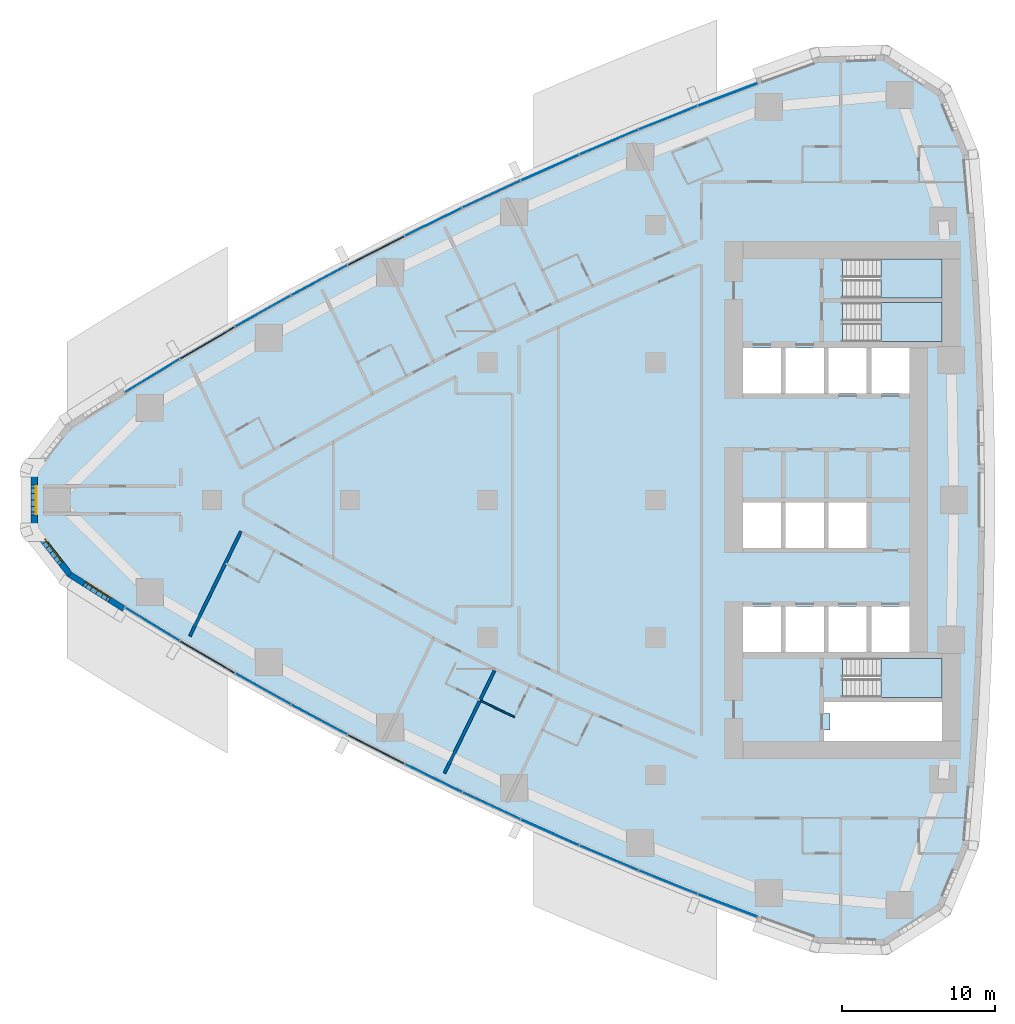
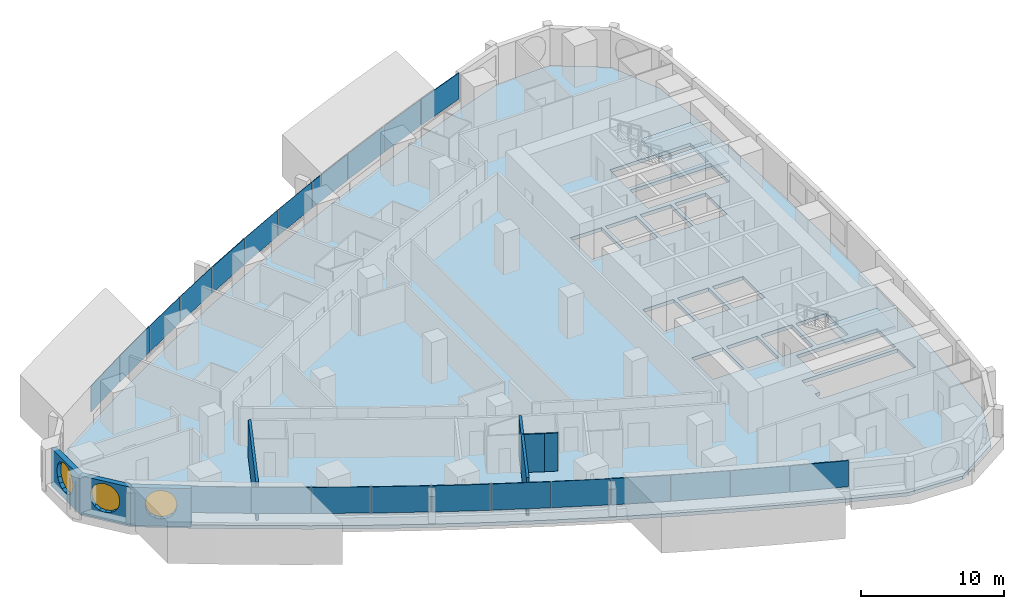
# One storey, part 8 of 19: 22 plates, 7 walls, 4 slabs, 3 windows, 4 openings, 13 elements without a shape of their own.
"""IFC4 building model written with IfcOpenShell, lengths in metres."""

from ifc_helpers import new_model, si_unit, direction, frame, frame_2d, origin, origin_2d, place, context, subcontext, project, spatial, polyline, rectangle, outline, extrude, material, layer, layer_set, type_object, element, fill, aggregate, save


model = new_model("IFC4")

# Units and contexts
model_context = context("Model", 3, precision=1e-05, world=origin(), true_north=direction((0.0, 1.0)))
body_context = subcontext(model_context, "Body", "Model", "MODEL_VIEW")
ifc_project = project(units=[si_unit("LENGTHUNIT", "METRE"), si_unit("AREAUNIT", "SQUARE_METRE"), si_unit("VOLUMEUNIT", "CUBIC_METRE"), si_unit("PLANEANGLEUNIT", "RADIAN"), si_unit("MASSUNIT", "GRAM", prefix="KILO")], contexts=[model_context])

# Site, building, storey
site_placement = place(None, origin())
site = spatial("IfcSite", under=ifc_project, at=site_placement, CompositionType="ELEMENT")
building_placement = place(site_placement, origin())
building = spatial("IfcBuilding", under=site, at=building_placement, Name="Ostrand Prow Hotel Tower", CompositionType="ELEMENT")
storey_placement = place(building_placement, frame((0.0, 0.0, 43.14990234375)))
storey = spatial("IfcBuildingStorey", under=building, at=storey_placement, Name="L08", CompositionType="ELEMENT", Elevation=43.14990234375)

# Curtain wall, plate
ifc_material_1 = material(Name="Insulated glass in bronze anodised frame", Category="glass")
ifc_layer_1 = layer(ifc_material_1, 0.199951171875)
ifc_layer_set_1 = layer_set([ifc_layer_1], Name="Insulated glass in bronze anodised frame")
curtain_wall_type = type_object("IfcCurtainWallType", Name="Strip curtain wall, fritted glass over bronze spandrel", PredefinedType="NOTDEFINED", material=ifc_layer_set_1)
curtain_wall_1_placement = place(storey_placement, origin())
curtain_wall_1 = element("IfcCurtainWall", 1, at=curtain_wall_1_placement, inside=storey, type_object=curtain_wall_type, Name="CW1 run CWS1", PredefinedType="NOTDEFINED")
ifc_material_2 = material(Name="Ceramic-fritted glass", Category="glass")
ifc_layer_2 = layer(ifc_material_2, 0.031982421875)
ifc_layer_set_2 = layer_set([ifc_layer_2], Name="Ceramic-fritted glass")
plate_type_1 = type_object("IfcPlateType", Name="Dot-fritted ceramic glass unit 32 mm", PredefinedType="CURTAIN_PANEL", material=ifc_layer_set_2)
plate_1_placement = place(storey_placement, frame((12.0859375, -8.12158203125, 1.02001953125), z_axis=(0.0, 0.0, 1.0), x_axis=(0.854269266322, -0.519830761515, 0.0)))
plate_1 = element("IfcPlate", 2, at=plate_1_placement, type_object=plate_type_1, Name="CW1 PN-D panel 1.2", PredefinedType="CURTAIN_PANEL", context=body_context, shape_type="SweptSolid", body=[
    extrude(rectangle(XDim=4.13427734375, YDim=0.031982421875, at=origin_2d()), origin(), (0.0, 0.0, 1.0), 2.22998046875),
])

# Curtain wall, plates
curtain_wall_2_placement = place(storey_placement, origin())
curtain_wall_2 = element("IfcCurtainWall", 3, at=curtain_wall_2_placement, inside=storey, type_object=curtain_wall_type, Name="CW1 run CWS2", PredefinedType="NOTDEFINED")
plate_2_placement = place(storey_placement, frame((19.33056640625, -12.349365234375, 1.02001953125), z_axis=(0.0, 0.0, 1.0), x_axis=(0.872819029241, -0.488043996167, 0.0)))
plate_2 = element("IfcPlate", 4, at=plate_2_placement, type_object=plate_type_1, Name="CW1 PN-D panel 1.2", PredefinedType="CURTAIN_PANEL", context=body_context, shape_type="SweptSolid", body=[
    extrude(rectangle(XDim=4.13427734375, YDim=0.031982421875, at=origin_2d()), origin(), (0.0, 0.0, 1.0), 2.22998046875),
])
plate_3_placement = place(storey_placement, frame((23.009765625, -14.362548828125, 1.02001953125), z_axis=(0.0, 0.0, 1.0), x_axis=(0.881652083929, -0.471899992481, 0.0)))
plate_3 = element("IfcPlate", 5, at=plate_3_placement, type_object=plate_type_1, Name="CW1 PN-D panel 2.2", PredefinedType="CURTAIN_PANEL", context=body_context, shape_type="SweptSolid", body=[
    extrude(rectangle(XDim=4.13427734375, YDim=0.031982421875, at=origin_2d()), origin(), (0.0, 0.0, 1.0), 2.22998046875),
])

curtain_wall_3_placement = place(storey_placement, origin())
curtain_wall_3 = element("IfcCurtainWall", 6, at=curtain_wall_3_placement, inside=storey, type_object=curtain_wall_type, Name="CW1 run CWS3", PredefinedType="NOTDEFINED")
plate_4_placement = place(storey_placement, frame((30.4765625, -18.183837890625, 1.02001953125), z_axis=(0.0, 0.0, 1.0), x_axis=(0.898419584131, -0.439138077204, 0.0)))
plate_4 = element("IfcPlate", 7, at=plate_4_placement, type_object=plate_type_1, Name="CW1 PN-D panel 1.2", PredefinedType="CURTAIN_PANEL", context=body_context, shape_type="SweptSolid", body=[
    extrude(rectangle(XDim=4.13427734375, YDim=0.031982421875, at=origin_2d()), origin(), (0.0, 0.0, 1.0), 2.22998046875),
])
plate_5_placement = place(storey_placement, frame((34.26123046875, -19.990966796875, 1.02001953125), z_axis=(0.0, 0.0, 1.0), x_axis=(0.906349088757, -0.422529678615, 0.0)))
plate_5 = element("IfcPlate", 8, at=plate_5_placement, type_object=plate_type_1, Name="CW1 PN-D panel 2.2", PredefinedType="CURTAIN_PANEL", context=body_context, shape_type="SweptSolid", body=[
    extrude(rectangle(XDim=4.13427734375, YDim=0.031982421875, at=origin_2d()), origin(), (0.0, 0.0, 1.0), 2.22998046875),
])
aggregate(curtain_wall_3, [plate_4, plate_5])

# Curtain wall, plate
curtain_wall_4_placement = place(storey_placement, origin())
curtain_wall_4 = element("IfcCurtainWall", 9, at=curtain_wall_4_placement, inside=storey, type_object=curtain_wall_type, Name="CW1 run CWS4", PredefinedType="NOTDEFINED")
plate_6_placement = place(storey_placement, frame((41.927490234375, -23.39453125, 1.02001953125), z_axis=(0.0, 0.0, 1.0), x_axis=(0.921283173987, -0.388892418709, 0.0)))
plate_6 = element("IfcPlate", 10, at=plate_6_placement, type_object=plate_type_1, Name="CW1 PN-D panel 2.2", PredefinedType="CURTAIN_PANEL", context=body_context, shape_type="SweptSolid", body=[
    extrude(rectangle(XDim=4.13427734375, YDim=0.031982421875, at=origin_2d()), origin(), (0.0, 0.0, 1.0), 2.22998046875),
])

curtain_wall_5_placement = place(storey_placement, origin())
curtain_wall_5 = element("IfcCurtainWall", 11, at=curtain_wall_5_placement, inside=storey, type_object=curtain_wall_type, Name="CW1 run CWS5", PredefinedType="NOTDEFINED")
plate_7_placement = place(storey_placement, frame((45.806396484375, -24.989990234375, 1.02001953125), z_axis=(0.0, 0.0, 1.0), x_axis=(0.928283463577, -0.371873380669, 0.0)))
plate_7 = element("IfcPlate", 12, at=plate_7_placement, type_object=plate_type_1, Name="CW1 PN-D panel 1.2", PredefinedType="CURTAIN_PANEL", context=body_context, shape_type="SweptSolid", body=[
    extrude(rectangle(XDim=4.13427734375, YDim=0.031982421875, at=origin_2d()), origin(), (0.0, 0.0, 1.0), 2.22998046875),
])

curtain_wall_6_placement = place(storey_placement, origin())
curtain_wall_6 = element("IfcCurtainWall", 13, at=curtain_wall_6_placement, inside=storey, type_object=curtain_wall_type, Name="CW1 run CWN1", PredefinedType="NOTDEFINED")
plate_8_placement = place(storey_placement, frame((45.806396484375, 24.989990234375, 1.02001953125), z_axis=(0.0, 0.0, 1.0), x_axis=(-0.928283463577, -0.371873380669, 0.0)))
plate_8 = element("IfcPlate", 14, at=plate_8_placement, type_object=plate_type_1, Name="CW1 PN-D panel 2.2", PredefinedType="CURTAIN_PANEL", context=body_context, shape_type="SweptSolid", body=[
    extrude(rectangle(XDim=4.13427734375, YDim=0.031982421875, at=origin_2d()), origin(), (0.0, 0.0, 1.0), 2.22998046875),
])

curtain_wall_7_placement = place(storey_placement, origin())
curtain_wall_7 = element("IfcCurtainWall", 15, at=curtain_wall_7_placement, inside=storey, type_object=curtain_wall_type, Name="CW1 run CWN2", PredefinedType="NOTDEFINED")
plate_9_placement = place(storey_placement, frame((41.927490234375, 23.39453125, 1.02001953125), z_axis=(0.0, 0.0, 1.0), x_axis=(-0.921283173987, -0.388892418709, 0.0)))
plate_9 = element("IfcPlate", 16, at=plate_9_placement, type_object=plate_type_1, Name="CW1 PN-D panel 1.2", PredefinedType="CURTAIN_PANEL", context=body_context, shape_type="SweptSolid", body=[
    extrude(rectangle(XDim=4.13427734375, YDim=0.031982421875, at=origin_2d()), origin(), (0.0, 0.0, 1.0), 2.22998046875),
])

# Curtain wall, plates
curtain_wall_8_placement = place(storey_placement, origin())
curtain_wall_8 = element("IfcCurtainWall", 17, at=curtain_wall_8_placement, inside=storey, type_object=curtain_wall_type, Name="CW1 run CWN3", PredefinedType="NOTDEFINED")
plate_10_placement = place(storey_placement, frame((34.26123046875, 19.990966796875, 1.02001953125), z_axis=(0.0, 0.0, 1.0), x_axis=(-0.906349088757, -0.422529678615, 0.0)))
plate_10 = element("IfcPlate", 18, at=plate_10_placement, type_object=plate_type_1, Name="CW1 PN-D panel 1.2", PredefinedType="CURTAIN_PANEL", context=body_context, shape_type="SweptSolid", body=[
    extrude(rectangle(XDim=4.13427734375, YDim=0.031982421875, at=origin_2d()), origin(), (0.0, 0.0, 1.0), 2.22998046875),
])
plate_11_placement = place(storey_placement, frame((30.4765625, 18.183837890625, 1.02001953125), z_axis=(0.0, 0.0, 1.0), x_axis=(-0.898419584131, -0.439138077204, 0.0)))
plate_11 = element("IfcPlate", 19, at=plate_11_placement, type_object=plate_type_1, Name="CW1 PN-D panel 2.2", PredefinedType="CURTAIN_PANEL", context=body_context, shape_type="SweptSolid", body=[
    extrude(rectangle(XDim=4.13427734375, YDim=0.031982421875, at=origin_2d()), origin(), (0.0, 0.0, 1.0), 2.22998046875),
])
aggregate(curtain_wall_8, [plate_10, plate_11])

curtain_wall_9_placement = place(storey_placement, origin())
curtain_wall_9 = element("IfcCurtainWall", 20, at=curtain_wall_9_placement, inside=storey, type_object=curtain_wall_type, Name="CW1 run CWN4", PredefinedType="NOTDEFINED")
plate_12_placement = place(storey_placement, frame((23.009765625, 14.362548828125, 1.02001953125), z_axis=(0.0, 0.0, 1.0), x_axis=(-0.881652083929, -0.471899992481, 0.0)))
plate_12 = element("IfcPlate", 21, at=plate_12_placement, type_object=plate_type_1, Name="CW1 PN-D panel 2.2", PredefinedType="CURTAIN_PANEL", context=body_context, shape_type="SweptSolid", body=[
    extrude(rectangle(XDim=4.13427734375, YDim=0.031982421875, at=origin_2d()), origin(), (0.0, 0.0, 1.0), 2.22998046875),
])
plate_13_placement = place(storey_placement, frame((19.33056640625, 12.349365234375, 1.02001953125), z_axis=(0.0, 0.0, 1.0), x_axis=(-0.872819029241, -0.488043996167, 0.0)))
plate_13 = element("IfcPlate", 22, at=plate_13_placement, type_object=plate_type_1, Name="CW1 PN-D panel 3.2", PredefinedType="CURTAIN_PANEL", context=body_context, shape_type="SweptSolid", body=[
    extrude(rectangle(XDim=4.13427734375, YDim=0.031982421875, at=origin_2d()), origin(), (0.0, 0.0, 1.0), 2.22998046875),
])

# Curtain wall, plate
curtain_wall_10_placement = place(storey_placement, origin())
curtain_wall_10 = element("IfcCurtainWall", 23, at=curtain_wall_10_placement, inside=storey, type_object=curtain_wall_type, Name="CW1 run CWN5", PredefinedType="NOTDEFINED")
plate_14_placement = place(storey_placement, frame((12.0859375, 8.12158203125, 1.02001953125), z_axis=(0.0, 0.0, 1.0), x_axis=(-0.854269266322, -0.519830761515, 0.0)))
plate_14 = element("IfcPlate", 24, at=plate_14_placement, type_object=plate_type_1, Name="CW1 PN-D panel 2.2", PredefinedType="CURTAIN_PANEL", context=body_context, shape_type="SweptSolid", body=[
    extrude(rectangle(XDim=4.13427734375, YDim=0.031982421875, at=origin_2d()), origin(), (0.0, 0.0, 1.0), 2.22998046875),
])

# Plate
ifc_material_3 = material(Name="Fritted glass in bronze vent frame", Category="glass")
ifc_layer_3 = layer(ifc_material_3, 0.06005859375)
ifc_layer_set_3 = layer_set([ifc_layer_3], Name="Fritted glass in bronze vent frame")
plate_type_2 = type_object("IfcPlateType", Name="Operable vent panel 60 mm", PredefinedType="CURTAIN_PANEL", material=ifc_layer_set_3)
plate_15_placement = place(storey_placement, frame((15.688720703125, -10.268798828125, 1.02001953125), z_axis=(0.0, 0.0, 1.0), x_axis=(0.863690392896, -0.50402272292, 0.0)))
plate_15 = element("IfcPlate", 25, at=plate_15_placement, type_object=plate_type_2, Name="CW1 PN-O panel 2.2", PredefinedType="CURTAIN_PANEL", context=body_context, shape_type="SweptSolid", body=[
    extrude(rectangle(XDim=4.13427734375, YDim=0.06005859375, at=origin_2d()), origin(), (0.0, 0.0, 1.0), 2.22998046875),
])

aggregate(curtain_wall_1, [plate_1, plate_15])

plate_16_placement = place(storey_placement, frame((26.7255859375, -16.3076171875, 1.02001953125), z_axis=(0.0, 0.0, 1.0), x_axis=(0.890186565631, -0.455596179055, 0.0)))
plate_16 = element("IfcPlate", 26, at=plate_16_placement, type_object=plate_type_2, Name="CW1 PN-O panel 3.2", PredefinedType="CURTAIN_PANEL", context=body_context, shape_type="SweptSolid", body=[
    extrude(rectangle(XDim=4.13427734375, YDim=0.06005859375, at=origin_2d()), origin(), (0.0, 0.0, 1.0), 2.22998046875),
])

aggregate(curtain_wall_2, [plate_2, plate_3, plate_16])

plate_17_placement = place(storey_placement, frame((38.078857421875, -21.72802734375, 1.02001953125), z_axis=(0.0, 0.0, 1.0), x_axis=(0.913970890274, -0.405779757666, 0.0)))
plate_17 = element("IfcPlate", 27, at=plate_17_placement, type_object=plate_type_2, Name="CW1 PN-O panel 1.2", PredefinedType="CURTAIN_PANEL", context=body_context, shape_type="SweptSolid", body=[
    extrude(rectangle(XDim=4.13427734375, YDim=0.06005859375, at=origin_2d()), origin(), (0.0, 0.0, 1.0), 2.22998046875),
])

aggregate(curtain_wall_4, [plate_17, plate_6])

plate_18_placement = place(storey_placement, frame((49.7138671875, -26.513671875, 1.02001953125), z_axis=(0.0, 0.0, 1.0), x_axis=(0.934969388384, -0.354728407072, 0.0)))
plate_18 = element("IfcPlate", 28, at=plate_18_placement, type_object=plate_type_2, Name="CW1 PN-O panel 2.2", PredefinedType="CURTAIN_PANEL", context=body_context, shape_type="SweptSolid", body=[
    extrude(rectangle(XDim=4.13427734375, YDim=0.06005859375, at=origin_2d()), origin(), (0.0, 0.0, 1.0), 2.22998046875),
])

aggregate(curtain_wall_5, [plate_7, plate_18])

plate_19_placement = place(storey_placement, frame((49.7138671875, 26.513671875, 1.02001953125), z_axis=(0.0, 0.0, 1.0), x_axis=(-0.934969388384, -0.354728407072, 0.0)))
plate_19 = element("IfcPlate", 29, at=plate_19_placement, type_object=plate_type_2, Name="CW1 PN-O panel 1.2", PredefinedType="CURTAIN_PANEL", context=body_context, shape_type="SweptSolid", body=[
    extrude(rectangle(XDim=4.13427734375, YDim=0.06005859375, at=origin_2d()), origin(), (0.0, 0.0, 1.0), 2.22998046875),
])

aggregate(curtain_wall_6, [plate_19, plate_8])

plate_20_placement = place(storey_placement, frame((38.078857421875, 21.72802734375, 1.02001953125), z_axis=(0.0, 0.0, 1.0), x_axis=(-0.913970890274, -0.405779757666, 0.0)))
plate_20 = element("IfcPlate", 30, at=plate_20_placement, type_object=plate_type_2, Name="CW1 PN-O panel 2.2", PredefinedType="CURTAIN_PANEL", context=body_context, shape_type="SweptSolid", body=[
    extrude(rectangle(XDim=4.13427734375, YDim=0.06005859375, at=origin_2d()), origin(), (0.0, 0.0, 1.0), 2.22998046875),
])

aggregate(curtain_wall_7, [plate_9, plate_20])

plate_21_placement = place(storey_placement, frame((26.7255859375, 16.3076171875, 1.02001953125), z_axis=(0.0, 0.0, 1.0), x_axis=(-0.890186565631, -0.455596179055, 0.0)))
plate_21 = element("IfcPlate", 31, at=plate_21_placement, type_object=plate_type_2, Name="CW1 PN-O panel 1.2", PredefinedType="CURTAIN_PANEL", context=body_context, shape_type="SweptSolid", body=[
    extrude(rectangle(XDim=4.13427734375, YDim=0.06005859375, at=origin_2d()), origin(), (0.0, 0.0, 1.0), 2.22998046875),
])

aggregate(curtain_wall_9, [plate_21, plate_12, plate_13])

plate_22_placement = place(storey_placement, frame((15.688720703125, 10.268798828125, 1.02001953125), z_axis=(0.0, 0.0, 1.0), x_axis=(-0.863690392896, -0.50402272292, 0.0)))
plate_22 = element("IfcPlate", 32, at=plate_22_placement, type_object=plate_type_2, Name="CW1 PN-O panel 1.2", PredefinedType="CURTAIN_PANEL", context=body_context, shape_type="SweptSolid", body=[
    extrude(rectangle(XDim=4.13427734375, YDim=0.06005859375, at=origin_2d()), origin(), (0.0, 0.0, 1.0), 2.22998046875),
])

aggregate(curtain_wall_10, [plate_22, plate_14])

# Slab, opening
ifc_material_4 = material(Name="Concrete C40/50", Category="concrete")
ifc_layer_4 = layer(ifc_material_4, 0.300048828125)
ifc_layer_set_4 = layer_set([ifc_layer_4], Name="Concrete C40/50")
slab_type_1 = type_object("IfcSlabType", Name="PT flat plate 300 C40/50", PredefinedType="FLOOR", material=ifc_layer_set_4)
slab_1_placement = place(storey_placement, frame((0.0, 0.0, -0.2998046875)))
slab_1 = element("IfcSlab", 33, at=slab_1_placement, inside=storey, type_object=slab_type_1, Name="Floor slab L08-1", PredefinedType="FLOOR", context=body_context, shape_type="SweptSolid", body=[
    extrude(outline(polyline([(6.690673828125, 4.805908203125), (10.26806640625, 7.073974609375), (13.851806640625, 9.2548828125), (17.47509765625, 11.369384765625), (21.136962890625, 13.416748046875), (24.83544921875, 15.396484375), (28.570068359375, 17.3076171875), (32.339111328125, 19.14990234375), (36.141357421875, 20.922607421875), (39.9755859375, 22.625), (43.840576171875, 24.25634765625), (47.73486328125, 25.81640625), (51.6572265625, 27.3046875), (55.64111328125, 28.73291015625), (59.92333984375, 28.873046875), (63.55908203125, 26.53369140625), (65.2060546875, 22.578369140625), (65.552978515625, 18.45166015625), (65.828369140625, 14.356689453125), (66.034912109375, 10.2578125), (66.172607421875, 6.15576171875), (66.241455078125, 2.052001953125), (66.241455078125, -2.052001953125), (66.172607421875, -6.15576171875), (66.034912109375, -10.2578125), (65.828369140625, -14.356689453125), (65.552978515625, -18.45166015625), (65.2060546875, -22.578369140625), (63.55908203125, -26.53369140625), (59.92333984375, -28.873046875), (55.64111328125, -28.73291015625), (51.6572265625, -27.3046875), (47.73486328125, -25.81640625), (43.840576171875, -24.25634765625), (39.9755859375, -22.625), (36.141357421875, -20.922607421875), (32.339111328125, -19.14990234375), (28.570068359375, -17.3076171875), (24.83544921875, -15.396484375), (21.136962890625, -13.416748046875), (17.47509765625, -11.369384765625), (13.851806640625, -9.2548828125), (10.26806640625, -7.073974609375), (6.690673828125, -4.805908203125), (4.399169921875, -1.8798828125), (4.399169921875, 1.8798828125), (6.690673828125, 4.805908203125)]), holes=[polyline([(50.699951171875, 6.949951171875), (53.199951171875, 6.949951171875), (53.199951171875, 9.949951171875), (50.699951171875, 9.949951171875), (50.699951171875, 6.949951171875)]), polyline([(53.5, 6.949951171875), (56.0, 6.949951171875), (56.0, 9.949951171875), (53.5, 9.949951171875), (53.5, 6.949951171875)]), polyline([(56.300048828125, 6.949951171875), (58.800048828125, 6.949951171875), (58.800048828125, 9.949951171875), (56.300048828125, 9.949951171875), (56.300048828125, 6.949951171875)]), polyline([(59.10009765625, 6.949951171875), (61.60009765625, 6.949951171875), (61.60009765625, 9.949951171875), (59.10009765625, 9.949951171875), (59.10009765625, 6.949951171875)]), polyline([(50.699951171875, -3.14990234375), (53.199951171875, -3.14990234375), (53.199951171875, -0.14990234375), (50.699951171875, -0.14990234375), (50.699951171875, -3.14990234375)]), polyline([(53.5, -3.14990234375), (56.0, -3.14990234375), (56.0, -0.14990234375), (53.5, -0.14990234375), (53.5, -3.14990234375)]), polyline([(56.300048828125, -3.14990234375), (58.800048828125, -3.14990234375), (58.800048828125, -0.14990234375), (56.300048828125, -0.14990234375), (56.300048828125, -3.14990234375)]), polyline([(50.699951171875, -9.949951171875), (53.199951171875, -9.949951171875), (53.199951171875, -6.949951171875), (50.699951171875, -6.949951171875), (50.699951171875, -9.949951171875)]), polyline([(53.5, -9.949951171875), (56.0, -9.949951171875), (56.0, -6.949951171875), (53.5, -6.949951171875), (53.5, -9.949951171875)]), polyline([(56.300048828125, -9.949951171875), (58.800048828125, -9.949951171875), (58.800048828125, -6.949951171875), (56.300048828125, -6.949951171875), (56.300048828125, -9.949951171875)]), polyline([(59.10009765625, -9.949951171875), (61.60009765625, -9.949951171875), (61.60009765625, -6.949951171875), (59.10009765625, -6.949951171875), (59.10009765625, -9.949951171875)]), polyline([(57.200927734375, 10.35107421875), (57.200927734375, 12.89892578125), (63.718994140625, 12.89892578125), (63.718994140625, 10.35107421875), (57.200927734375, 10.35107421875)]), polyline([(57.200927734375, 13.200927734375), (57.200927734375, 15.7490234375), (63.718994140625, 15.7490234375), (63.718994140625, 13.200927734375), (57.200927734375, 13.200927734375)]), polyline([(57.200927734375, -12.89892578125), (57.200927734375, -10.35107421875), (63.718994140625, -10.35107421875), (63.718994140625, -12.89892578125), (57.200927734375, -12.89892578125)]), polyline([(56.0, -13.199951171875), (63.719970703125, -13.199951171875), (63.719970703125, -15.75), (56.0, -15.75), (56.0, -15.050048828125), (56.39990234375, -15.050048828125), (56.39990234375, -13.949951171875), (56.0, -13.949951171875), (56.0, -13.199951171875)])]), origin(), (0.0, 0.0, 1.0), 0.2998046875),
])
opening_1_placement = place(slab_1_placement, origin())
element("IfcOpeningElement", 34, at=opening_1_placement, cuts=slab_1, Name="Shaft opening 1", PredefinedType="OPENING", context=body_context, shape_type="SweptSolid", body=[
    extrude(outline(polyline([(56.0, -13.199951171875), (63.719970703125, -13.199951171875), (63.719970703125, -15.75), (56.0, -15.75), (56.0, -15.050048828125), (56.39990234375, -15.050048828125), (56.39990234375, -13.949951171875), (56.0, -13.949951171875), (56.0, -13.199951171875)])), origin(), (0.0, 0.0, 1.0), 0.2998046875),
])

# Stair, slab
ifc_material_5 = material(Name="Concrete C40/50", Category="concrete")
stair_type = type_object("IfcStairType", Name="Exit stair 1200 upper zone", PredefinedType="HALF_TURN_STAIR", material=ifc_material_5)
stair_1_placement = place(storey_placement, origin())
stair_1 = element("IfcStair", 35, at=stair_1_placement, inside=storey, type_object=stair_type, Name="L08 ST1C", PredefinedType="HALF_TURN_STAIR")
ifc_material_6 = material(Name="Concrete C40/50", Category="concrete")
ifc_layer_5 = layer(ifc_material_6, 0.199951171875)
ifc_layer_set_5 = layer_set([ifc_layer_5], Name="Concrete C40/50")
slab_type_2 = type_object("IfcSlabType", Name="Stair landing 200 concrete", PredefinedType="LANDING", material=ifc_layer_set_5)
slab_2_placement = place(storey_placement, frame((0.0, 0.0, 1.5751953125)))
slab_2 = element("IfcSlab", 36, at=slab_2_placement, type_object=slab_type_2, Name="ST1C landing 1", PredefinedType="LANDING", context=body_context, shape_type="SweptSolid", body=[
    extrude(outline(polyline([(59.719970703125, 10.35009765625), (63.719970703125, 10.35009765625), (63.719970703125, 12.89990234375), (59.719970703125, 12.89990234375), (59.719970703125, 10.35009765625)])), origin(), (0.0, 0.0, 1.0), 0.199951171875),
])
aggregate(stair_1, [slab_2])

stair_2_placement = place(storey_placement, origin())
stair_2 = element("IfcStair", 37, at=stair_2_placement, inside=storey, type_object=stair_type, Name="L08 ST3C", PredefinedType="HALF_TURN_STAIR")
slab_3_placement = place(storey_placement, frame((0.0, 0.0, 1.5751953125)))
slab_3 = element("IfcSlab", 38, at=slab_3_placement, type_object=slab_type_2, Name="ST3C landing 1", PredefinedType="LANDING", context=body_context, shape_type="SweptSolid", body=[
    extrude(outline(polyline([(59.719970703125, 13.199951171875), (63.719970703125, 13.199951171875), (63.719970703125, 15.75), (59.719970703125, 15.75), (59.719970703125, 13.199951171875)])), origin(), (0.0, 0.0, 1.0), 0.199951171875),
])
aggregate(stair_2, [slab_3])

stair_3_placement = place(storey_placement, origin())
stair_3 = element("IfcStair", 39, at=stair_3_placement, inside=storey, type_object=stair_type, Name="L08 ST2C", PredefinedType="HALF_TURN_STAIR")
slab_4_placement = place(storey_placement, frame((0.0, 0.0, 1.5751953125)))
slab_4 = element("IfcSlab", 40, at=slab_4_placement, type_object=slab_type_2, Name="ST2C landing 1", PredefinedType="LANDING", context=body_context, shape_type="SweptSolid", body=[
    extrude(outline(polyline([(59.719970703125, -12.89990234375), (63.719970703125, -12.89990234375), (63.719970703125, -10.35009765625), (59.719970703125, -10.35009765625), (59.719970703125, -12.89990234375)])), origin(), (0.0, 0.0, 1.0), 0.199951171875),
])
aggregate(stair_3, [slab_4])

# Walls
ifc_material_7 = material(Name="Plasterboard partition")
ifc_layer_6 = layer(ifc_material_7, 0.10009765625)
ifc_layer_set_6 = layer_set([ifc_layer_6], Name="Plasterboard partition")
wall_type_1 = type_object("IfcWallType", Name="Partition 100 bathroom wall", PredefinedType="PARTITIONING", material=ifc_layer_set_6)
wall_1_placement = place(storey_placement, frame((35.766845703125, -14.18310546875, 0.0), z_axis=(0.0, 0.0, 1.0), x_axis=(-0.906477304063, 0.422254540791, 0.0)))
element("IfcWall", 41, at=wall_1_placement, inside=storey, type_object=wall_type_1, Name="BATHROOM WALL", PredefinedType="PARTITIONING", context=body_context, shape_type="SweptSolid", body=[
    extrude(rectangle(XDim=0.953369140625, YDim=0.10009765625, at=frame_2d((0.4765625, 0.0))), origin(), (0.0, 0.0, 1.0), 3.25),
])
wall_2_placement = place(storey_placement, frame((34.902587890625, -13.780517578125, 0.0), z_axis=(0.0, 0.0, 1.0), x_axis=(-0.898338680123, 0.439303557685, 0.0)))
element("IfcWall", 42, at=wall_2_placement, inside=storey, type_object=wall_type_1, Name="BATHROOM WALL", PredefinedType="PARTITIONING", context=body_context, shape_type="SweptSolid", body=[
    extrude(rectangle(XDim=1.546630859375, YDim=0.10009765625, at=frame_2d((0.7734375, 0.0))), origin(), (0.0, 0.0, 1.0), 3.25),
])
ifc_material_8 = material(Name="Plasterboard partition")
ifc_layer_7 = layer(ifc_material_8, 0.199951171875)
ifc_layer_set_7 = layer_set([ifc_layer_7], Name="Plasterboard partition")
wall_type_2 = type_object("IfcWallType", Name="Partition 200 key partition", PredefinedType="PARTITIONING", material=ifc_layer_set_7)
wall_3_placement = place(storey_placement, frame((14.540771484375, -8.904296875, 0.0), z_axis=(0.0, 0.0, 1.0), x_axis=(0.438213564788, 0.898870887078, 0.0)))
element("IfcWall", 43, at=wall_3_placement, inside=storey, type_object=wall_type_2, Name="KEY PARTITION", PredefinedType="PARTITIONING", context=body_context, shape_type="SweptSolid", body=[
    extrude(rectangle(XDim=7.62548828125, YDim=0.199951171875, at=frame_2d((3.812744140625, 0.0))), origin(), (0.0, 0.0, 1.0), 3.25),
])
wall_4_placement = place(storey_placement, frame((31.190673828125, -17.865234375, 0.0), z_axis=(0.0, 0.0, 1.0), x_axis=(0.438187612283, 0.898883538865, 0.0)))
element("IfcWall", 44, at=wall_4_placement, inside=storey, type_object=wall_type_2, Name="KEY PARTITION", PredefinedType="PARTITIONING", context=body_context, shape_type="SweptSolid", body=[
    extrude(rectangle(XDim=7.581787109375, YDim=0.199951171875, at=frame_2d((3.791015625, 0.0))), origin(), (0.0, 0.0, 1.0), 3.25),
])

# Wall, opening, window
ifc_material_9 = material(Name="Precast concrete C40/50", Category="concrete")
ifc_layer_8 = layer(ifc_material_9, 0.39990234375)
ifc_layer_set_8 = layer_set([ifc_layer_8], Name="Precast concrete C40/50")
wall_type_3 = type_object("IfcWallType", Name="Stone-faced precast wall 400 mm", PredefinedType="NOTDEFINED", material=ifc_layer_set_8)
wall_5_placement = place(storey_placement, frame((4.365478515625, 1.891357421875, 0.0), z_axis=(0.0, 0.0, 1.0), x_axis=(0.0, -1.0, 0.0)))
wall_5 = element("IfcWall", 45, at=wall_5_placement, inside=storey, type_object=wall_type_3, Name="Stone-faced wall prow 3", PredefinedType="NOTDEFINED", context=body_context, shape_type="SweptSolid", body=[
    extrude(outline(polyline([(-0.069091796875, -0.199951171875), (3.851806640625, -0.199951171875), (3.713623046875, 0.199951171875), (0.069091796875, 0.199951171875), (-0.069091796875, -0.199951171875)])), origin(), (0.0, 0.0, 1.0), 3.25),
])
opening_2_placement = place(wall_5_placement, frame((0.79150390625, 0.0, 0.60009765625)))
opening_2 = element("IfcOpeningElement", 46, at=opening_2_placement, cuts=wall_5, Name="Opening WP1", PredefinedType="OPENING", context=body_context, shape_type="SweptSolid", body=[
    extrude(outline(polyline([(0.0, 1.35009765625), (0.083740234375, 1.77099609375), (0.322265625, 2.127685546875), (0.678955078125, 2.3662109375), (1.10009765625, 2.449951171875), (1.52099609375, 2.3662109375), (1.877685546875, 2.127685546875), (2.1162109375, 1.77099609375), (2.199951171875, 1.35009765625), (2.199951171875, 1.10009765625), (2.1162109375, 0.678955078125), (1.877685546875, 0.322265625), (1.52099609375, 0.083740234375), (1.10009765625, 0.0), (0.678955078125, 0.083740234375), (0.322265625, 0.322265625), (0.083740234375, 0.678955078125), (0.0, 1.099853515625), (0.0, 1.35009765625)])), frame((0.0, 0.2099609375, 0.0), z_axis=(0.0, -1.0, 0.0), x_axis=(1.0, 0.0, 0.0)), (0.0, 0.0, 1.0), 0.419921875),
])
ifc_material_10 = material(Name="Insulated glass in bronze frame", Category="glass")
window_type = type_object("IfcWindowType", Name="Round-ended prow window 2200x2450", PartitioningType="SINGLE_PANEL", PredefinedType="WINDOW", material=ifc_material_10)
window_1_placement = place(opening_2_placement, origin())
window_1 = element("IfcWindow", 47, at=window_1_placement, inside=storey, type_object=window_type, Name="Window prow 3.1", OverallHeight=2.449951171875, OverallWidth=2.199951171875, PartitioningType="SINGLE_PANEL", PredefinedType="WINDOW", context=body_context, shape_type="SweptSolid", body=[
    extrude(outline(polyline([(0.0, 1.35009765625), (0.083740234375, 1.77099609375), (0.322265625, 2.127685546875), (0.678955078125, 2.3662109375), (1.10009765625, 2.449951171875), (1.52099609375, 2.3662109375), (1.877685546875, 2.127685546875), (2.1162109375, 1.77099609375), (2.199951171875, 1.35009765625), (2.199951171875, 1.10009765625), (2.1162109375, 0.678955078125), (1.877685546875, 0.322265625), (1.52099609375, 0.083740234375), (1.10009765625, 0.0), (0.678955078125, 0.083740234375), (0.322265625, 0.322265625), (0.083740234375, 0.678955078125), (0.0, 1.099853515625), (0.0, 1.35009765625)])), frame((0.0, 0.169921875, 0.0), z_axis=(0.0, -1.0, 0.0), x_axis=(1.0, 0.0, 0.0)), (0.0, 0.0, 1.0), 0.06005859375),
])
fill(opening_2, window_1)

wall_6_placement = place(storey_placement, frame((4.365478515625, -1.891357421875, 0.0), z_axis=(0.0, 0.0, 1.0), x_axis=(0.616586647779, -0.787287054245, 0.0)))
wall_6 = element("IfcWall", 48, at=wall_6_placement, inside=storey, type_object=wall_type_3, Name="Stone-faced wall prow 4", PredefinedType="NOTDEFINED", context=body_context, shape_type="SweptSolid", body=[
    extrude(outline(polyline([(-0.069091796875, -0.199951171875), (3.8173828125, -0.199951171875), (3.74853515625, 0.199951171875), (0.069091796875, 0.199951171875), (-0.069091796875, -0.199951171875)])), origin(), (0.0, 0.0, 1.0), 3.25),
])
opening_3_placement = place(wall_6_placement, frame((0.79150390625, 0.0, 0.60009765625)))
opening_3 = element("IfcOpeningElement", 49, at=opening_3_placement, cuts=wall_6, Name="Opening WP1", PredefinedType="OPENING", context=body_context, shape_type="SweptSolid", body=[
    extrude(outline(polyline([(0.0, 1.35009765625), (0.083740234375, 1.77099609375), (0.322265625, 2.127685546875), (0.678955078125, 2.3662109375), (1.10009765625, 2.449951171875), (1.52099609375, 2.3662109375), (1.877685546875, 2.127685546875), (2.1162109375, 1.77099609375), (2.199951171875, 1.35009765625), (2.199951171875, 1.10009765625), (2.1162109375, 0.678955078125), (1.877685546875, 0.322265625), (1.52099609375, 0.083740234375), (1.10009765625, 0.0), (0.678955078125, 0.083740234375), (0.322265625, 0.322265625), (0.083740234375, 0.678955078125), (0.0, 1.099853515625), (0.0, 1.35009765625)])), frame((0.0, 0.2099609375, 0.0), z_axis=(0.0, -1.0, 0.0), x_axis=(1.0, 0.0, 0.0)), (0.0, 0.0, 1.0), 0.419921875),
])
window_2_placement = place(opening_3_placement, origin())
window_2 = element("IfcWindow", 50, at=window_2_placement, inside=storey, type_object=window_type, Name="Window prow 4.1", OverallHeight=2.449951171875, OverallWidth=2.199951171875, PartitioningType="SINGLE_PANEL", PredefinedType="WINDOW", context=body_context, shape_type="SweptSolid", body=[
    extrude(outline(polyline([(0.0, 1.35009765625), (0.083740234375, 1.77099609375), (0.322265625, 2.127685546875), (0.678955078125, 2.3662109375), (1.10009765625, 2.449951171875), (1.52099609375, 2.3662109375), (1.877685546875, 2.127685546875), (2.1162109375, 1.77099609375), (2.199951171875, 1.35009765625), (2.199951171875, 1.10009765625), (2.1162109375, 0.678955078125), (1.877685546875, 0.322265625), (1.52099609375, 0.083740234375), (1.10009765625, 0.0), (0.678955078125, 0.083740234375), (0.322265625, 0.322265625), (0.083740234375, 0.678955078125), (0.0, 1.099853515625), (0.0, 1.35009765625)])), frame((0.0, 0.169921875, 0.0), z_axis=(0.0, -1.0, 0.0), x_axis=(1.0, 0.0, 0.0)), (0.0, 0.0, 1.0), 0.06005859375),
])
fill(opening_3, window_2)

wall_7_placement = place(storey_placement, frame((6.697998046875, -4.86962890625, 0.0), z_axis=(0.0, 0.0, 1.0), x_axis=(0.844551578623, -0.535474211372, 0.0)))
wall_7 = element("IfcWall", 51, at=wall_7_placement, inside=storey, type_object=wall_type_3, Name="Stone-faced wall prow 5", PredefinedType="NOTDEFINED", context=body_context, shape_type="SweptSolid", body=[
    extrude(outline(polyline([(-0.034423828125, -0.199951171875), (4.196044921875, -0.199951171875), (4.196044921875, 0.199951171875), (0.034423828125, 0.199951171875), (-0.034423828125, -0.199951171875)])), origin(), (0.0, 0.0, 1.0), 3.25),
])
opening_4_placement = place(wall_7_placement, frame((0.998046875, 0.0, 0.60009765625)))
opening_4 = element("IfcOpeningElement", 52, at=opening_4_placement, cuts=wall_7, Name="Opening WP1", PredefinedType="OPENING", context=body_context, shape_type="SweptSolid", body=[
    extrude(outline(polyline([(0.0, 1.35009765625), (0.083740234375, 1.77099609375), (0.322265625, 2.127685546875), (0.678955078125, 2.3662109375), (1.10009765625, 2.449951171875), (1.52099609375, 2.3662109375), (1.877685546875, 2.127685546875), (2.1162109375, 1.77099609375), (2.199951171875, 1.35009765625), (2.199951171875, 1.10009765625), (2.1162109375, 0.678955078125), (1.877685546875, 0.322265625), (1.52099609375, 0.083740234375), (1.10009765625, 0.0), (0.678955078125, 0.083740234375), (0.322265625, 0.322265625), (0.083740234375, 0.678955078125), (0.0, 1.099853515625), (0.0, 1.35009765625)])), frame((0.0, 0.2099609375, 0.0), z_axis=(0.0, -1.0, 0.0), x_axis=(1.0, 0.0, 0.0)), (0.0, 0.0, 1.0), 0.419921875),
])
window_3_placement = place(opening_4_placement, origin())
window_3 = element("IfcWindow", 53, at=window_3_placement, inside=storey, type_object=window_type, Name="Window prow 5.1", OverallHeight=2.449951171875, OverallWidth=2.199951171875, PartitioningType="SINGLE_PANEL", PredefinedType="WINDOW", context=body_context, shape_type="SweptSolid", body=[
    extrude(outline(polyline([(0.0, 1.35009765625), (0.083740234375, 1.77099609375), (0.322265625, 2.127685546875), (0.678955078125, 2.3662109375), (1.10009765625, 2.449951171875), (1.52099609375, 2.3662109375), (1.877685546875, 2.127685546875), (2.1162109375, 1.77099609375), (2.199951171875, 1.35009765625), (2.199951171875, 1.10009765625), (2.1162109375, 0.678955078125), (1.877685546875, 0.322265625), (1.52099609375, 0.083740234375), (1.10009765625, 0.0), (0.678955078125, 0.083740234375), (0.322265625, 0.322265625), (0.083740234375, 0.678955078125), (0.0, 1.099853515625), (0.0, 1.35009765625)])), frame((0.0, 0.169921875, 0.0), z_axis=(0.0, -1.0, 0.0), x_axis=(1.0, 0.0, 0.0)), (0.0, 0.0, 1.0), 0.06005859375),
])
fill(opening_4, window_3)

save(model, "model.ifc")
